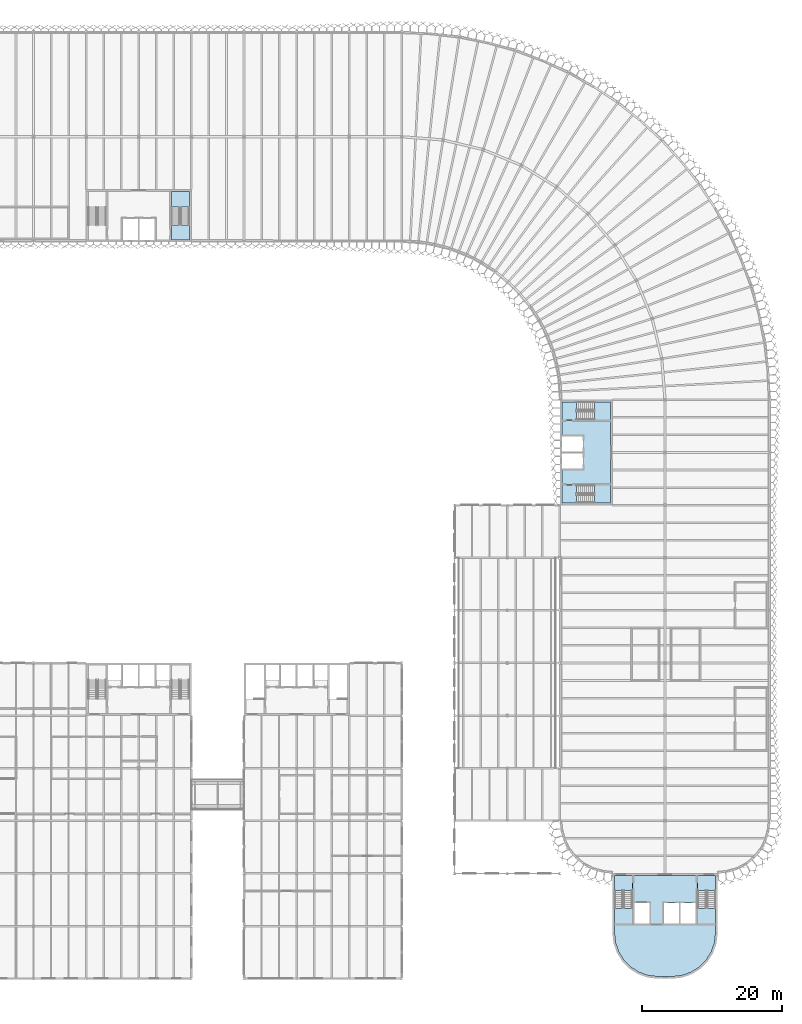
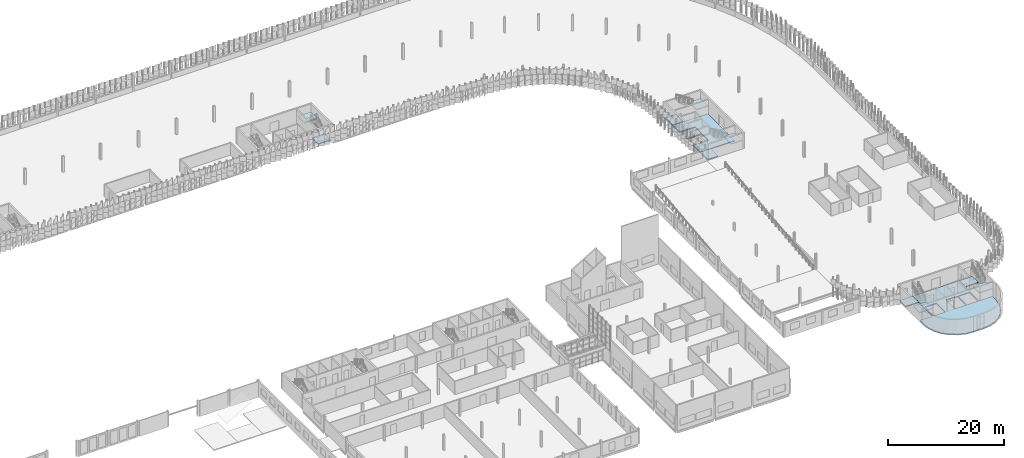
# One storey, part 42 of 198: 12 slabs, 5 elements without a shape of their own.
"""IFC4 building model written with IfcOpenShell, lengths in metres."""

from ifc_helpers import new_model, si_unit, direction, frame, origin, place, context, subcontext, project, spatial, polyline, outline, extrude, material, layer, layer_set, type_object, element, aggregate, save


model = new_model("IFC4")

# Units and contexts
model_context = context("Model", 3, precision=1e-05, world=origin(), true_north=direction((0.0, 1.0)))
body_context = subcontext(model_context, "Body", "Model", "MODEL_VIEW")
ifc_project = project(units=[si_unit("LENGTHUNIT", "METRE"), si_unit("AREAUNIT", "SQUARE_METRE"), si_unit("VOLUMEUNIT", "CUBIC_METRE"), si_unit("PLANEANGLEUNIT", "RADIAN"), si_unit("MASSUNIT", "GRAM", prefix="KILO")], contexts=[model_context])

# Site, building, storey
site_placement = place(None, origin())
site = spatial("IfcSite", under=ifc_project, at=site_placement, CompositionType="ELEMENT")
building_placement = place(site_placement, origin())
building = spatial("IfcBuilding", under=site, at=building_placement, Name="Parallax Yard Mobility Hub", CompositionType="ELEMENT")
storey_placement = place(building_placement, frame((0.0, 0.0, 6.60009765625)))
storey = spatial("IfcBuildingStorey", under=building, at=storey_placement, Name="L02", CompositionType="ELEMENT", Elevation=6.60009765625)

# Slabs
ifc_material = material(Name="Concrete fc' 35 MPa", Category="concrete")
ifc_layer_1 = layer(ifc_material, 0.199951171875)
ifc_layer_set_1 = layer_set([ifc_layer_1], Name="Core floor slab 200")
slab_type_1 = type_object("IfcSlabType", Name="Core floor slab 200", PredefinedType="FLOOR", material=ifc_layer_set_1)
slab_1_placement = place(storey_placement, frame((0.0, 0.0, -0.2001953125)))
element("IfcSlab", 1, at=slab_1_placement, inside=storey, type_object=slab_type_1, Name="Core C-E floor slab level L02", PredefinedType="FLOOR", context=body_context, shape_type="SweptSolid", body=[
    extrude(outline(polyline([(202.199951171875, 77.85009765625), (195.300048828125, 77.85009765625), (195.300048828125, 80.199951171875), (198.300048828125, 80.199951171875), (198.300048828125, 82.39990234375), (195.300048828125, 82.39990234375), (195.300048828125, 82.60009765625), (198.300048828125, 82.60009765625), (198.300048828125, 84.800048828125), (195.300048828125, 84.800048828125), (195.300048828125, 87.14990234375), (202.199951171875, 87.14990234375), (202.199951171875, 77.85009765625)])), origin(), (0.0, 0.0, 1.0), 0.2001953125),
])
slab_2_placement = place(storey_placement, frame((0.0, 0.0, -0.2001953125)))
element("IfcSlab", 2, at=slab_2_placement, inside=storey, type_object=slab_type_1, Name="Core C-S floor slab level L02", PredefinedType="FLOOR", context=body_context, shape_type="SweptSolid", body=[
    extrude(outline(polyline([(216.5859375, 11.309814453125), (215.847412109375, 10.13427734375), (214.86572265625, 9.152587890625), (213.690185546875, 8.4140625), (212.379638671875, 7.95556640625), (211.0, 7.800048828125), (209.0, 7.800048828125), (207.620361328125, 7.95556640625), (206.309814453125, 8.4140625), (205.13427734375, 9.152587890625), (204.152587890625, 10.13427734375), (203.4140625, 11.309814453125), (202.95556640625, 12.620361328125), (202.800048828125, 14.0), (202.800048828125, 15.300048828125), (205.35009765625, 15.300048828125), (205.35009765625, 22.199951171875), (214.64990234375, 22.199951171875), (214.64990234375, 15.300048828125), (217.199951171875, 15.300048828125), (217.199951171875, 14.0), (217.04443359375, 12.620361328125), (216.5859375, 11.309814453125)]), holes=[polyline([(214.39990234375, 18.300048828125), (212.199951171875, 18.300048828125), (212.199951171875, 15.300048828125), (214.39990234375, 15.300048828125), (214.39990234375, 18.300048828125)]), polyline([(212.0, 15.300048828125), (212.0, 18.300048828125), (209.800048828125, 18.300048828125), (209.800048828125, 15.300048828125), (212.0, 15.300048828125)]), polyline([(205.60009765625, 15.300048828125), (207.800048828125, 15.300048828125), (207.800048828125, 18.300048828125), (205.60009765625, 18.300048828125), (205.60009765625, 15.300048828125)])]), origin(), (0.0, 0.0, 1.0), 0.2001953125),
])

# Stair, slab
stair_type = type_object("IfcStairType", Name="Exit stair 1200 dog-leg", PredefinedType="HALF_TURN_STAIR", material=ifc_material)
stair_1_placement = place(storey_placement, origin())
stair_1 = element("IfcStair", 3, at=stair_1_placement, inside=storey, type_object=stair_type, Name="L02 Exit stair 1 of core C-N2", PredefinedType="HALF_TURN_STAIR")
ifc_layer_2 = layer(ifc_material, 0.199951171875)
ifc_layer_set_2 = layer_set([ifc_layer_2], Name="Exit stair landing 200")
slab_type_2 = type_object("IfcSlabType", Name="Exit stair landing 200", PredefinedType="LANDING", material=ifc_layer_set_2)
slab_3_placement = place(storey_placement, frame((0.0, 0.0, 1.449951171875)))
slab_3 = element("IfcSlab", 4, at=slab_3_placement, type_object=slab_type_2, Name="ST5 landing 1", PredefinedType="LANDING", context=body_context, shape_type="SweptSolid", body=[
    extrude(outline(polyline([(142.199951171875, 117.465087890625), (142.199951171875, 119.699951171875), (139.64990234375, 119.699951171875), (139.64990234375, 117.465087890625), (142.199951171875, 117.465087890625)])), origin(), (0.0, 0.0, 1.0), 0.199951171875),
])
aggregate(stair_1, [slab_3])

stair_2_placement = place(storey_placement, origin())
stair_2 = element("IfcStair", 5, at=stair_2_placement, inside=storey, type_object=stair_type, Name="L02 Exit stair 1 of core C-E", PredefinedType="HALF_TURN_STAIR")
slab_4_placement = place(storey_placement, frame((0.0, 0.0, 1.449951171875)))
slab_4 = element("IfcSlab", 6, at=slab_4_placement, type_object=slab_type_2, Name="ST7 landing 1", PredefinedType="LANDING", context=body_context, shape_type="SweptSolid", body=[
    extrude(outline(polyline([(199.965087890625, 75.300048828125), (202.199951171875, 75.300048828125), (202.199951171875, 77.85009765625), (199.965087890625, 77.85009765625), (199.965087890625, 75.300048828125)])), origin(), (0.0, 0.0, 1.0), 0.199951171875),
])
aggregate(stair_2, [slab_4])

stair_3_placement = place(storey_placement, origin())
stair_3 = element("IfcStair", 7, at=stair_3_placement, inside=storey, type_object=stair_type, Name="L02 Exit stair 2 of core C-E", PredefinedType="HALF_TURN_STAIR")
slab_5_placement = place(storey_placement, frame((0.0, 0.0, 1.449951171875)))
slab_5 = element("IfcSlab", 8, at=slab_5_placement, type_object=slab_type_2, Name="ST8 landing 1", PredefinedType="LANDING", context=body_context, shape_type="SweptSolid", body=[
    extrude(outline(polyline([(199.965087890625, 87.14990234375), (202.199951171875, 87.14990234375), (202.199951171875, 89.699951171875), (199.965087890625, 89.699951171875), (199.965087890625, 87.14990234375)])), origin(), (0.0, 0.0, 1.0), 0.199951171875),
])
aggregate(stair_3, [slab_5])

stair_4_placement = place(storey_placement, origin())
stair_4 = element("IfcStair", 9, at=stair_4_placement, inside=storey, type_object=stair_type, Name="L02 Exit stair 1 of core C-S", PredefinedType="HALF_TURN_STAIR")
slab_6_placement = place(storey_placement, frame((0.0, 0.0, 1.449951171875)))
slab_6 = element("IfcSlab", 10, at=slab_6_placement, type_object=slab_type_2, Name="ST9 landing 1", PredefinedType="LANDING", context=body_context, shape_type="SweptSolid", body=[
    extrude(outline(polyline([(214.64990234375, 17.534912109375), (214.64990234375, 15.300048828125), (217.199951171875, 15.300048828125), (217.199951171875, 17.534912109375), (214.64990234375, 17.534912109375)])), origin(), (0.0, 0.0, 1.0), 0.199951171875),
])
aggregate(stair_4, [slab_6])

stair_5_placement = place(storey_placement, origin())
stair_5 = element("IfcStair", 11, at=stair_5_placement, inside=storey, type_object=stair_type, Name="L02 Exit stair 2 of core C-S", PredefinedType="HALF_TURN_STAIR")
slab_7_placement = place(storey_placement, frame((0.0, 0.0, 1.449951171875)))
slab_7 = element("IfcSlab", 12, at=slab_7_placement, type_object=slab_type_2, Name="ST10 landing 1", PredefinedType="LANDING", context=body_context, shape_type="SweptSolid", body=[
    extrude(outline(polyline([(202.800048828125, 17.534912109375), (202.800048828125, 15.300048828125), (205.35009765625, 15.300048828125), (205.35009765625, 17.534912109375), (202.800048828125, 17.534912109375)])), origin(), (0.0, 0.0, 1.0), 0.199951171875),
])
aggregate(stair_5, [slab_7])

# Slabs
ifc_layer_3 = layer(ifc_material, 0.199951171875)
ifc_layer_set_3 = layer_set([ifc_layer_3], Name="Stair floor landing slab 200")
slab_type_3 = type_object("IfcSlabType", Name="Stair floor landing slab 200", PredefinedType="FLOOR", material=ifc_layer_set_3)
slab_8_placement = place(storey_placement, frame((0.0, 0.0, -0.2001953125)))
element("IfcSlab", 13, at=slab_8_placement, inside=storey, type_object=slab_type_3, Name="Core C-N2 exit stair 1 floor landing level L02", PredefinedType="FLOOR", context=body_context, shape_type="SweptSolid", body=[
    extrude(outline(polyline([(139.64990234375, 114.89990234375), (139.64990234375, 112.800048828125), (142.199951171875, 112.800048828125), (142.199951171875, 114.89990234375), (139.64990234375, 114.89990234375)])), origin(), (0.0, 0.0, 1.0), 0.2001953125),
])
slab_9_placement = place(storey_placement, frame((0.0, 0.0, -0.2001953125)))
element("IfcSlab", 14, at=slab_9_placement, inside=storey, type_object=slab_type_3, Name="Core C-E exit stair 1 floor landing level L02", PredefinedType="FLOOR", context=body_context, shape_type="SweptSolid", body=[
    extrude(outline(polyline([(197.39990234375, 77.85009765625), (195.300048828125, 77.85009765625), (195.300048828125, 75.300048828125), (197.39990234375, 75.300048828125), (197.39990234375, 77.85009765625)])), origin(), (0.0, 0.0, 1.0), 0.2001953125),
])
slab_10_placement = place(storey_placement, frame((0.0, 0.0, -0.2001953125)))
element("IfcSlab", 15, at=slab_10_placement, inside=storey, type_object=slab_type_3, Name="Core C-E exit stair 2 floor landing level L02", PredefinedType="FLOOR", context=body_context, shape_type="SweptSolid", body=[
    extrude(outline(polyline([(197.39990234375, 89.699951171875), (195.300048828125, 89.699951171875), (195.300048828125, 87.14990234375), (197.39990234375, 87.14990234375), (197.39990234375, 89.699951171875)])), origin(), (0.0, 0.0, 1.0), 0.2001953125),
])
slab_11_placement = place(storey_placement, frame((0.0, 0.0, -0.2001953125)))
element("IfcSlab", 16, at=slab_11_placement, inside=storey, type_object=slab_type_3, Name="Core C-S exit stair 1 floor landing level L02", PredefinedType="FLOOR", context=body_context, shape_type="SweptSolid", body=[
    extrude(outline(polyline([(217.199951171875, 20.10009765625), (214.64990234375, 20.10009765625), (214.64990234375, 22.199951171875), (217.199951171875, 22.199951171875), (217.199951171875, 20.10009765625)])), origin(), (0.0, 0.0, 1.0), 0.2001953125),
])
slab_12_placement = place(storey_placement, frame((0.0, 0.0, -0.2001953125)))
element("IfcSlab", 17, at=slab_12_placement, inside=storey, type_object=slab_type_3, Name="Core C-S exit stair 2 floor landing level L02", PredefinedType="FLOOR", context=body_context, shape_type="SweptSolid", body=[
    extrude(outline(polyline([(205.35009765625, 20.10009765625), (202.800048828125, 20.10009765625), (202.800048828125, 22.199951171875), (205.35009765625, 22.199951171875), (205.35009765625, 20.10009765625)])), origin(), (0.0, 0.0, 1.0), 0.2001953125),
])

save(model, "model.ifc")
